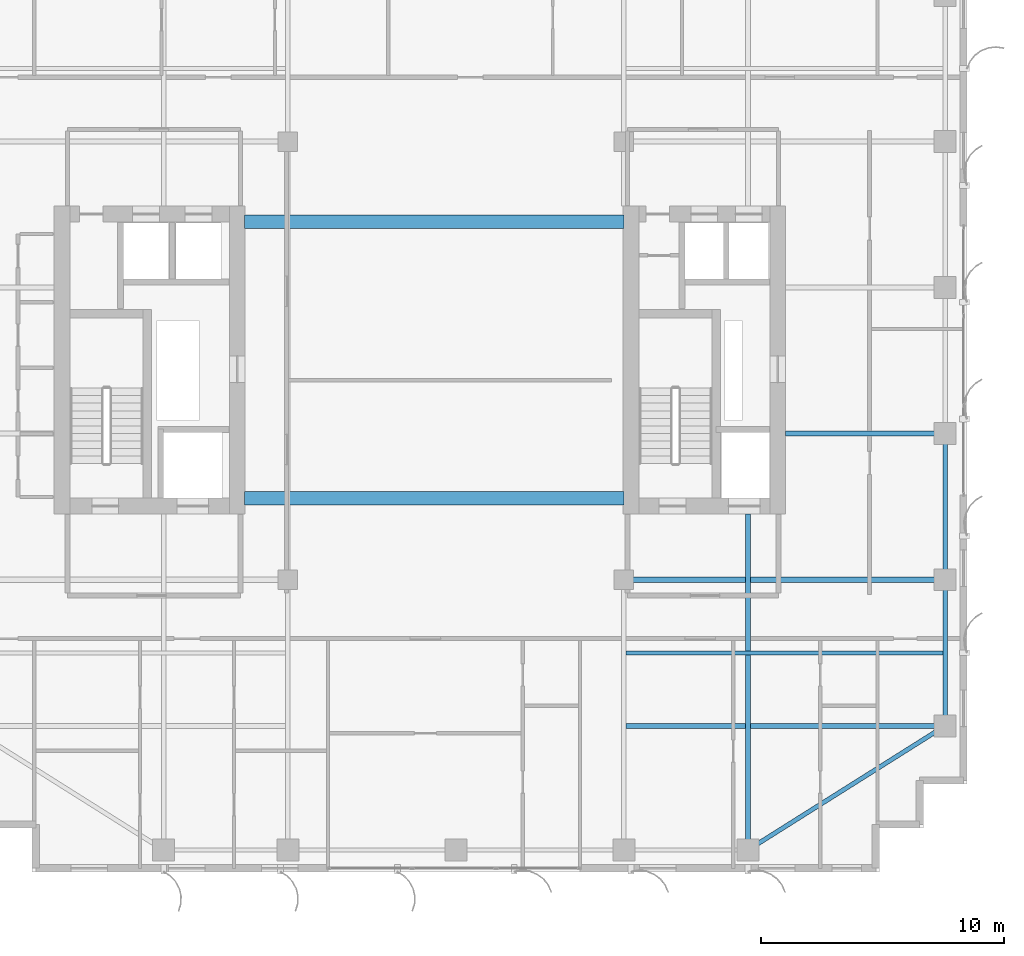
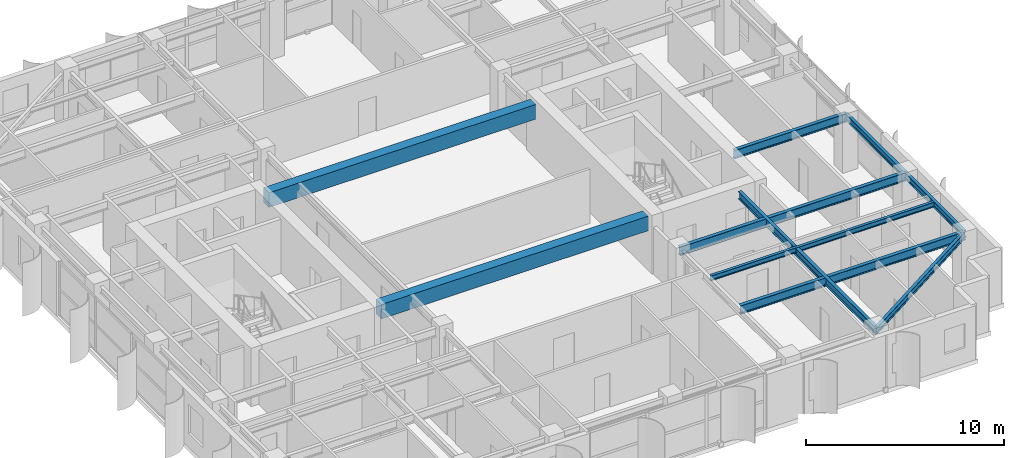
# One storey, part 7 of 22: 10 beams.
"""IFC4 building model written with IfcOpenShell, lengths in metres."""

from ifc_helpers import new_model, si_unit, direction, frame, origin, origin_2d, place, context, subcontext, project, spatial, rectangle, i_section, extrude, source, transform, mapped, material, material_profile, profile_set, type_object, element, save


model = new_model("IFC4")

# Units and contexts
model_context = context("Model", 3, precision=1e-05, world=origin(), true_north=direction((0.0, 1.0)))
body_context = subcontext(model_context, "Body", "Model", "MODEL_VIEW")
ifc_project = project(units=[si_unit("LENGTHUNIT", "METRE"), si_unit("AREAUNIT", "SQUARE_METRE"), si_unit("VOLUMEUNIT", "CUBIC_METRE"), si_unit("PLANEANGLEUNIT", "RADIAN"), si_unit("MASSUNIT", "GRAM", prefix="KILO")], contexts=[model_context])

# Site, building, storey
site_placement = place(None, origin())
site = spatial("IfcSite", under=ifc_project, at=site_placement, CompositionType="ELEMENT")
building_placement = place(site_placement, origin())
building = spatial("IfcBuilding", under=site, at=building_placement, Name="Khoralis Quay Care Tower", CompositionType="ELEMENT")
storey_placement = place(building_placement, frame((0.0, 0.0, 180.89990234375)))
storey = spatial("IfcBuildingStorey", under=building, at=storey_placement, Name="L47", CompositionType="ELEMENT", Elevation=180.89990234375)

# Beams
ifc_material_1 = material(Name="Concrete C65/80", Category="concrete")
ifc_material_profile_1 = material_profile(ifc_material_1, rectangle(XDim=0.550048828125, YDim=0.89990234375, at=origin_2d()), Name="Concrete C65/80")
ifc_profile_set_1 = profile_set([ifc_material_profile_1], Name="Concrete C65/80")
beam_type_1 = type_object("IfcBeamType", Name="CB-RC550X900", PredefinedType="LINTEL", material=ifc_profile_set_1)
shared_shape_1 = source(origin(), body_context, "Body", "SweptSolid", [
    extrude(rectangle(XDim=0.550048828125, YDim=0.89990234375, at=origin_2d()), origin(), (0.0, 0.0, 1.0), 15.579833984375),
])
for number, where, z_axis, x_axis, name in (
    (1, (15.320068359375, 15.35009765625, 2.89013671875), (1.0, 0.0, 0.0), (0.0, 1.0, 0.0), "L47 South Core Coupling Lintel"),
    (2, (15.320068359375, 26.699951171875, 2.89013671875), (1.0, 0.0, 0.0), (0.0, 1.0, 0.0), "L47 North Core Coupling Lintel"),
):
    element("IfcBeam", number, at=place(storey_placement, frame(where, z_axis=z_axis, x_axis=x_axis)), inside=storey, type_object=beam_type_1, Name=name, PredefinedType="LINTEL", context=body_context, shape_type="MappedRepresentation", body=[
        mapped(shared_shape_1, transform((0.0, 0.0, 0.0), scale=1.0)),
    ])
ifc_material_2 = material(Name="Steel S355", Category="steel")
ifc_material_profile_2 = material_profile(ifc_material_2, i_section(OverallWidth=0.179931640625, OverallDepth=0.39990234375, WebThickness=0.008544921875, FlangeThickness=0.013427734375, FilletRadius=0.02099609375, at=origin_2d()), Name="Steel S355")
ifc_profile_set_2 = profile_set([ifc_material_profile_2], Name="Steel S355")
beam_type_2 = type_object("IfcBeamType", Name="BM-IPE400", PredefinedType="SPANDREL", material=ifc_profile_set_2)
shared_shape_2 = source(origin(), body_context, "Body", "SweptSolid", [
    extrude(i_section(OverallWidth=0.179931640625, OverallDepth=0.39990234375, WebThickness=0.008544921875, FlangeThickness=0.013427734375, FilletRadius=0.02099609375, at=origin_2d()), origin(), (0.0, 0.0, 1.0), 6.0),
])
for number, where, z_axis, x_axis, name in (
    (3, (44.10009765625, 6.0, 3.14013671875), (0.0, 1.0, 0.0), (-1.0, 0.0, 0.0), "BM-TSP-L47-14"),
    (4, (44.10009765625, 12.0, 3.14013671875), (0.0, 1.0, 0.0), (-1.0, 0.0, 0.0), "BM-TSP-L47-15"),
):
    element("IfcBeam", number, at=place(storey_placement, frame(where, z_axis=z_axis, x_axis=x_axis)), inside=storey, type_object=beam_type_2, Name=name, PredefinedType="SPANDREL", context=body_context, shape_type="MappedRepresentation", body=[
        mapped(shared_shape_2, transform((0.0, 0.0, 0.0), scale=1.0)),
    ])
shared_shape_3 = source(origin(), body_context, "Body", "SweptSolid", [
    extrude(i_section(OverallWidth=0.179931640625, OverallDepth=0.39990234375, WebThickness=0.008544921875, FlangeThickness=0.013427734375, FilletRadius=0.02099609375, at=origin_2d()), origin(), (0.0, 0.0, 1.0), 9.572021484375),
])
beam_1_placement = place(storey_placement, frame((36.0, 0.89990234375, 3.14013671875), z_axis=(0.846231136359, 0.532815975602, 0.0), x_axis=(-0.532815975602, 0.846231136359, 0.0)))
element("IfcBeam", 5, at=beam_1_placement, inside=storey, type_object=beam_type_2, Name="BM-TCR-L47-20", PredefinedType="SPANDREL", context=body_context, shape_type="MappedRepresentation", body=[
    mapped(shared_shape_3, transform((0.0, 0.0, 0.0), scale=1.0)),
])
ifc_material_profile_3 = material_profile(ifc_material_2, i_section(OverallWidth=0.208984375, OverallDepth=0.532958984375, WebThickness=0.01025390625, FlangeThickness=0.015625, FilletRadius=0.01611328125, at=origin_2d()), Name="Steel S355")
ifc_profile_set_3 = profile_set([ifc_material_profile_3], Name="Steel S355")
beam_type_3 = type_object("IfcBeamType", Name="BM-W530X92", PredefinedType="BEAM", material=ifc_profile_set_3)
shared_shape_4 = source(origin(), body_context, "Body", "SweptSolid", [
    extrude(i_section(OverallWidth=0.208984375, OverallDepth=0.532958984375, WebThickness=0.01025390625, FlangeThickness=0.015625, FilletRadius=0.01611328125, at=origin_2d()), origin(), (0.0, 0.0, 1.0), 13.1162109375),
])
beam_2_placement = place(storey_placement, frame((30.98388671875, 6.0, 3.073486328125), z_axis=(1.0, 0.0, 0.0), x_axis=(0.0, 1.0, 0.0)))
element("IfcBeam", 6, at=beam_2_placement, inside=storey, type_object=beam_type_3, Name="BM-TGXE-L47-60", PredefinedType="BEAM", context=body_context, shape_type="MappedRepresentation", body=[
    mapped(shared_shape_4, transform((0.0, 0.0, 0.0), scale=1.0)),
])
shared_shape_5 = source(origin(), body_context, "Body", "SweptSolid", [
    extrude(i_section(OverallWidth=0.208984375, OverallDepth=0.532958984375, WebThickness=0.01025390625, FlangeThickness=0.015625, FilletRadius=0.01611328125, at=origin_2d()), origin(), (0.0, 0.0, 1.0), 13.2001953125),
])
beam_3_placement = place(storey_placement, frame((30.89990234375, 12.0, 3.073486328125), z_axis=(1.0, 0.0, 0.0), x_axis=(0.0, 1.0, 0.0)))
element("IfcBeam", 7, at=beam_3_placement, inside=storey, type_object=beam_type_3, Name="BM-TGXE-L47-120", PredefinedType="BEAM", context=body_context, shape_type="MappedRepresentation", body=[
    mapped(shared_shape_5, transform((0.0, 0.0, 0.0), scale=1.0)),
])
shared_shape_6 = source(origin(), body_context, "Body", "SweptSolid", [
    extrude(i_section(OverallWidth=0.208984375, OverallDepth=0.532958984375, WebThickness=0.01025390625, FlangeThickness=0.015625, FilletRadius=0.01611328125, at=origin_2d()), origin(), (0.0, 0.0, 1.0), 6.552001953125),
])
beam_4_placement = place(storey_placement, frame((37.548095703125, 18.0, 3.073486328125), z_axis=(1.0, 0.0, 0.0), x_axis=(0.0, 1.0, 0.0)))
element("IfcBeam", 8, at=beam_4_placement, inside=storey, type_object=beam_type_3, Name="BM-TGXE-L47-180", PredefinedType="BEAM", context=body_context, shape_type="MappedRepresentation", body=[
    mapped(shared_shape_6, transform((0.0, 0.0, 0.0), scale=1.0)),
])
ifc_material_profile_4 = material_profile(ifc_material_2, i_section(OverallWidth=0.19189453125, OverallDepth=0.462890625, WebThickness=0.010498046875, FlangeThickness=0.017578125, FilletRadius=0.014892578125, at=origin_2d()), Name="Steel S355")
ifc_profile_set_4 = profile_set([ifc_material_profile_4], Name="Steel S355")
beam_type_4 = type_object("IfcBeamType", Name="BM-W460X89", PredefinedType="BEAM", material=ifc_profile_set_4)
shared_shape_7 = source(origin(), body_context, "Body", "SweptSolid", [
    extrude(i_section(OverallWidth=0.19189453125, OverallDepth=0.462890625, WebThickness=0.010498046875, FlangeThickness=0.017578125, FilletRadius=0.014892578125, at=origin_2d()), origin(), (0.0, 0.0, 1.0), 13.802001953125),
])
beam_5_placement = place(storey_placement, frame((36.0, 0.89990234375, 3.108642578125), z_axis=(0.0, 1.0, 0.0), x_axis=(-1.0, 0.0, 0.0)))
element("IfcBeam", 9, at=beam_5_placement, inside=storey, type_object=beam_type_4, Name="BM-TGYS-L47-360", PredefinedType="BEAM", context=body_context, shape_type="MappedRepresentation", body=[
    mapped(shared_shape_7, transform((0.0, 0.0, 0.0), scale=1.0)),
])
ifc_material_profile_5 = material_profile(ifc_material_2, i_section(OverallWidth=0.1650390625, OverallDepth=0.31005859375, WebThickness=0.005859375, FlangeThickness=0.009765625, FilletRadius=0.011962890625, at=origin_2d()), Name="Steel S355")
ifc_profile_set_5 = profile_set([ifc_material_profile_5], Name="Steel S355")
beam_type_5 = type_object("IfcBeamType", Name="BM-W310X39", PredefinedType="JOIST", material=ifc_profile_set_5)
shared_shape_8 = source(origin(), body_context, "Body", "SweptSolid", [
    extrude(i_section(OverallWidth=0.1650390625, OverallDepth=0.31005859375, WebThickness=0.005859375, FlangeThickness=0.009765625, FilletRadius=0.011962890625, at=origin_2d()), origin(), (0.0, 0.0, 1.0), 13.0400390625),
])
beam_6_placement = place(storey_placement, frame((30.98388671875, 9.0, 3.18505859375), z_axis=(1.0, 0.0, 0.0), x_axis=(0.0, 1.0, 0.0)))
element("IfcBeam", 10, at=beam_6_placement, inside=storey, type_object=beam_type_5, Name="BM-TJS-L47-24", PredefinedType="JOIST", context=body_context, shape_type="MappedRepresentation", body=[
    mapped(shared_shape_8, transform((0.0, 0.0, 0.0), scale=1.0)),
])

save(model, "model.ifc")
